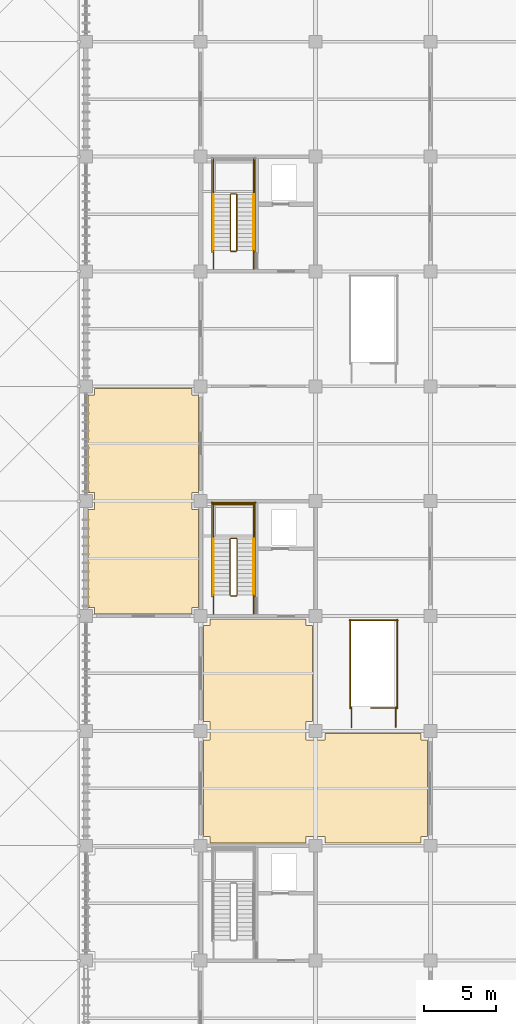
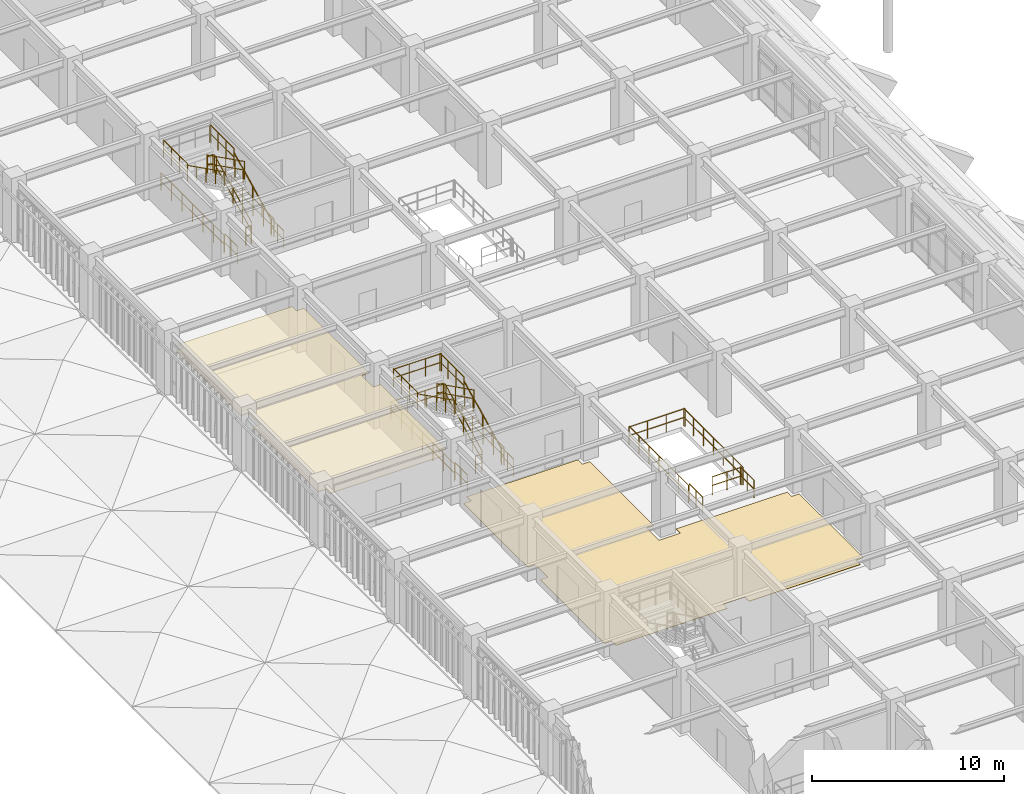
# One storey, part 109 of 118: 32 railings, 2 coverings.
"""IFC4 building model written with IfcOpenShell, lengths in metres."""

from ifc_helpers import new_model, si_unit, direction, frame, origin, origin_2d, place, context, subcontext, project, spatial, polyline, circle, outline, extrude, material, layer, layer_set, type_object, element, save


model = new_model("IFC4")

# Units and contexts
model_context = context("Model", 3, precision=1e-05, world=origin(), true_north=direction((0.0, 1.0)))
body_context = subcontext(model_context, "Body", "Model", "MODEL_VIEW")
ifc_project = project(units=[si_unit("LENGTHUNIT", "METRE"), si_unit("AREAUNIT", "SQUARE_METRE"), si_unit("VOLUMEUNIT", "CUBIC_METRE"), si_unit("PLANEANGLEUNIT", "RADIAN"), si_unit("MASSUNIT", "GRAM", prefix="KILO")], contexts=[model_context])

# Site, building, storey
site_placement = place(None, origin())
site = spatial("IfcSite", under=ifc_project, at=site_placement, CompositionType="ELEMENT")
building_placement = place(site_placement, origin())
building = spatial("IfcBuilding", under=site, at=building_placement, Name="Haebicheon Civic Stadium", CompositionType="ELEMENT")
storey_placement = place(building_placement, frame((0.0, 0.0, 14.39990234375)))
storey = spatial("IfcBuildingStorey", under=building, at=storey_placement, Name="L04", CompositionType="ELEMENT", Elevation=14.39990234375)

# Coverings
ifc_material_1 = material(Name="Perforated mineral-fibre acoustic board", Category="gypsum")
ifc_layer_1 = layer(ifc_material_1, 0.0400390625, Name="Perforated mineral-fibre acoustic board")
ifc_layer_set_1 = layer_set([ifc_layer_1], Name="Perforated mineral-fibre acoustic board")
covering_type_1 = type_object("IfcCoveringType", Name="COV-CLG-AC", PredefinedType="CEILING", material=ifc_layer_set_1)
covering_1_placement = place(storey_placement, frame((0.0, 0.0, 2.81005859375)))
element("IfcCovering", 1, at=covering_1_placement, inside=storey, type_object=covering_type_1, material=ifc_layer_set_1, Name="L04 Sommelier Pantry Kitchen acoustic ceiling", PredefinedType="CEILING", context=body_context, shape_type="SweptSolid", body=[
    extrude(outline(polyline([(24.594970703125, 80.14501953125), (24.594970703125, 80.594970703125), (24.14501953125, 80.594970703125), (24.14501953125, 87.405029296875), (24.594970703125, 87.405029296875), (24.594970703125, 88.594970703125), (24.14501953125, 88.594970703125), (24.14501953125, 95.405029296875), (24.594970703125, 95.405029296875), (24.594970703125, 95.85498046875), (31.405029296875, 95.85498046875), (31.405029296875, 95.405029296875), (31.85498046875, 95.405029296875), (31.85498046875, 88.594970703125), (31.405029296875, 88.594970703125), (31.405029296875, 87.405029296875), (31.85498046875, 87.405029296875), (31.85498046875, 80.594970703125), (31.405029296875, 80.594970703125), (31.405029296875, 80.14501953125), (24.594970703125, 80.14501953125)])), origin(), (0.0, 0.0, 1.0), 0.0400390625),
])
ifc_material_2 = material(Name="Quartz epoxy resin mortar", Category="concrete")
ifc_layer_2 = layer(ifc_material_2, 0.030029296875, Name="Quartz epoxy resin mortar")
ifc_layer_set_2 = layer_set([ifc_layer_2], Name="Quartz epoxy resin mortar")
covering_type_2 = type_object("IfcCoveringType", Name="COV-FLR-EPX", PredefinedType="FLOORING", material=ifc_layer_set_2)
covering_2_placement = place(storey_placement, origin())
element("IfcCovering", 2, at=covering_2_placement, inside=storey, type_object=covering_type_2, material=ifc_layer_set_2, Name="L04 VIP Banquet Dining Room non-slip floor finish", PredefinedType="FLOORING", context=body_context, shape_type="SweptSolid", body=[
    extrude(outline(polyline([(32.199951171875, 71.35009765625), (32.64990234375, 71.35009765625), (32.64990234375, 72.64990234375), (32.199951171875, 72.64990234375), (32.199951171875, 79.35009765625), (32.64990234375, 79.35009765625), (32.64990234375, 79.800048828125), (39.35009765625, 79.800048828125), (39.35009765625, 79.35009765625), (39.800048828125, 79.35009765625), (39.800048828125, 72.64990234375), (39.35009765625, 72.64990234375), (39.35009765625, 71.35009765625), (40.64990234375, 71.35009765625), (40.64990234375, 71.800048828125), (47.35009765625, 71.800048828125), (47.35009765625, 71.35009765625), (47.800048828125, 71.35009765625), (47.800048828125, 64.64990234375), (47.35009765625, 64.64990234375), (47.35009765625, 64.199951171875), (40.64990234375, 64.199951171875), (40.64990234375, 64.64990234375), (39.35009765625, 64.64990234375), (39.35009765625, 64.199951171875), (32.64990234375, 64.199951171875), (32.64990234375, 64.64990234375), (32.199951171875, 64.64990234375), (32.199951171875, 71.35009765625)])), origin(), (0.0, 0.0, 1.0), 0.030029296875),
])

# Railings
ifc_material_3 = material(Name="Galvanised painted steel SM355", Category="steel")
railing_type_1 = type_object("IfcRailingType", Name="RL-GRD-1150", PredefinedType="GUARDRAIL", material=ifc_material_3)
railing_1_placement = place(storey_placement, frame((34.530029296875, 81.449951171875, 0.150146484375)))
element("IfcRailing", 3, at=railing_1_placement, inside=storey, type_object=railing_type_1, material=ifc_material_3, Name="L04 ST-03 stair guard 1", PredefinedType="GUARDRAIL", context=body_context, shape_type="SweptSolid", body=[
    extrude(circle(Radius=0.02392578125, at=origin_2d()), frame((0.0, 0.0, 1.1259765625), z_axis=(0.0, 0.894438388696, 0.447191199406), x_axis=(-1.0, 0.0, 0.0)), (0.0, 0.0, 1.0), 4.3603515625),
    extrude(circle(Radius=0.02392578125, at=origin_2d()), frame((0.0, 0.0, 0.574951171875), z_axis=(0.0, 0.894438388696, 0.447191199406), x_axis=(-1.0, 0.0, 0.0)), (0.0, 0.0, 1.0), 4.3603515625),
    extrude(circle(Radius=0.02099609375, at=origin_2d()), origin(), (0.0, 0.0, 1.0), 1.101806640625),
    extrude(circle(Radius=0.02099609375, at=origin_2d()), frame((0.0, 0.97509765625, 0.487548828125)), (0.0, 0.0, 1.0), 1.101806640625),
    extrude(circle(Radius=0.02099609375, at=origin_2d()), frame((0.0, 1.9501953125, 0.97509765625)), (0.0, 0.0, 1.0), 1.101806640625),
    extrude(circle(Radius=0.02099609375, at=origin_2d()), frame((0.0, 2.925048828125, 1.46240234375)), (0.0, 0.0, 1.0), 1.101806640625),
    extrude(circle(Radius=0.02099609375, at=origin_2d()), frame((0.0, 3.900146484375, 1.949951171875)), (0.0, 0.0, 1.0), 1.101806640625),
])
railing_2_placement = place(storey_placement, frame((34.47998046875, 85.39990234375, 2.10009765625)))
element("IfcRailing", 4, at=railing_2_placement, inside=storey, type_object=railing_type_1, material=ifc_material_3, Name="L04 ST-03 stair guard 2", PredefinedType="GUARDRAIL", context=body_context, shape_type="SweptSolid", body=[
    extrude(circle(Radius=0.02392578125, at=origin_2d()), frame((0.0, 0.0, 1.1259765625), z_axis=(-1.0, 0.0, 0.0), x_axis=(0.0, -1.0, 0.0)), (0.0, 0.0, 1.0), 0.3798828125),
    extrude(circle(Radius=0.02392578125, at=origin_2d()), frame((0.0, 0.0, 0.574951171875), z_axis=(-1.0, 0.0, 0.0), x_axis=(0.0, -1.0, 0.0)), (0.0, 0.0, 1.0), 0.3798828125),
    extrude(circle(Radius=0.02099609375, at=origin_2d()), origin(), (0.0, 0.0, 1.0), 1.101806640625),
    extrude(circle(Radius=0.02099609375, at=origin_2d()), frame((-0.3798828125, 0.0, 0.0)), (0.0, 0.0, 1.0), 1.101806640625),
])
for number, where, name in (
    (5, (35.68994140625, 85.35009765625, 2.10009765625), "L04 ST-03 stair guard 3"),
    (6, (32.889892578125, 85.35009765625, 2.10009765625), "L04 ST-03 stair guard 4"),
):
    element("IfcRailing", number, at=place(storey_placement, frame(where)), inside=storey, type_object=railing_type_1, material=ifc_material_3, Name=name, PredefinedType="GUARDRAIL", context=body_context, shape_type="SweptSolid", body=[
        extrude(circle(Radius=0.02392578125, at=origin_2d()), frame((0.0, 0.0, 1.1259765625), z_axis=(0.0, 1.0, 0.0), x_axis=(-1.0, 0.0, 0.0)), (0.0, 0.0, 1.0), 2.489990234375),
        extrude(circle(Radius=0.02392578125, at=origin_2d()), frame((0.0, 0.0, 0.574951171875), z_axis=(0.0, 1.0, 0.0), x_axis=(-1.0, 0.0, 0.0)), (0.0, 0.0, 1.0), 2.489990234375),
        extrude(circle(Radius=0.02099609375, at=origin_2d()), origin(), (0.0, 0.0, 1.0), 1.101806640625),
        extrude(circle(Radius=0.02099609375, at=origin_2d()), frame((0.0, 0.830078125, 0.0)), (0.0, 0.0, 1.0), 1.101806640625),
        extrude(circle(Radius=0.02099609375, at=origin_2d()), frame((0.0, 1.659912109375, 0.0)), (0.0, 0.0, 1.0), 1.101806640625),
        extrude(circle(Radius=0.02099609375, at=origin_2d()), frame((0.0, 2.489990234375, 0.0)), (0.0, 0.0, 1.0), 1.101806640625),
    ])
railing_3_placement = place(storey_placement, frame((35.739990234375, 87.7900390625, 2.10009765625)))
element("IfcRailing", 7, at=railing_3_placement, inside=storey, type_object=railing_type_1, material=ifc_material_3, Name="L04 ST-03 stair guard 5", PredefinedType="GUARDRAIL", context=body_context, shape_type="SweptSolid", body=[
    extrude(circle(Radius=0.02392578125, at=origin_2d()), frame((0.0, 0.0, 1.1259765625), z_axis=(-1.0, 0.0, 0.0), x_axis=(0.0, -1.0, 0.0)), (0.0, 0.0, 1.0), 2.89990234375),
    extrude(circle(Radius=0.02392578125, at=origin_2d()), frame((0.0, 0.0, 0.574951171875), z_axis=(-1.0, 0.0, 0.0), x_axis=(0.0, -1.0, 0.0)), (0.0, 0.0, 1.0), 2.89990234375),
    extrude(circle(Radius=0.02099609375, at=origin_2d()), origin(), (0.0, 0.0, 1.0), 1.101806640625),
    extrude(circle(Radius=0.02099609375, at=origin_2d()), frame((-0.966552734375, 0.0, 0.0)), (0.0, 0.0, 1.0), 1.101806640625),
    extrude(circle(Radius=0.02099609375, at=origin_2d()), frame((-1.933349609375, 0.0, 0.0)), (0.0, 0.0, 1.0), 1.101806640625),
    extrude(circle(Radius=0.02099609375, at=origin_2d()), frame((-2.89990234375, 0.0, 0.0)), (0.0, 0.0, 1.0), 1.101806640625),
])
railing_4_placement = place(storey_placement, frame((34.050048828125, 85.35009765625, 2.25)))
element("IfcRailing", 8, at=railing_4_placement, inside=storey, type_object=railing_type_1, material=ifc_material_3, Name="L04 ST-03 stair guard 6", PredefinedType="GUARDRAIL", context=body_context, shape_type="SweptSolid", body=[
    extrude(circle(Radius=0.02392578125, at=origin_2d()), frame((0.0, 0.0, 1.1259765625), z_axis=(0.0, -0.894415993023, 0.447235990752), x_axis=(1.0, 0.0, 0.0)), (0.0, 0.0, 1.0), 4.360595703125),
    extrude(circle(Radius=0.02392578125, at=origin_2d()), frame((0.0, 0.0, 0.574951171875), z_axis=(0.0, -0.894415993023, 0.447235990752), x_axis=(1.0, 0.0, 0.0)), (0.0, 0.0, 1.0), 4.360595703125),
    extrude(circle(Radius=0.02099609375, at=origin_2d()), origin(), (0.0, 0.0, 1.0), 1.101806640625),
    extrude(circle(Radius=0.02099609375, at=origin_2d()), frame((0.0, -0.97509765625, 0.487548828125)), (0.0, 0.0, 1.0), 1.101806640625),
    extrude(circle(Radius=0.02099609375, at=origin_2d()), frame((0.0, -1.9501953125, 0.97509765625)), (0.0, 0.0, 1.0), 1.101806640625),
    extrude(circle(Radius=0.02099609375, at=origin_2d()), frame((0.0, -2.925048828125, 1.462646484375)), (0.0, 0.0, 1.0), 1.101806640625),
    extrude(circle(Radius=0.02099609375, at=origin_2d()), frame((0.0, -3.900146484375, 1.9501953125)), (0.0, 0.0, 1.0), 1.101806640625),
])
railing_5_placement = place(storey_placement, frame((34.47998046875, 81.39990234375, 0.0)))
element("IfcRailing", 9, at=railing_5_placement, inside=storey, type_object=railing_type_1, material=ifc_material_3, Name="L04 ST-03 stair guard 7", PredefinedType="GUARDRAIL", context=body_context, shape_type="SweptSolid", body=[
    extrude(circle(Radius=0.02392578125, at=origin_2d()), frame((0.0, 0.0, 1.1259765625), z_axis=(-1.0, 0.0, 0.0), x_axis=(0.0, -1.0, 0.0)), (0.0, 0.0, 1.0), 0.3798828125),
    extrude(circle(Radius=0.02392578125, at=origin_2d()), frame((0.0, 0.0, 0.574951171875), z_axis=(-1.0, 0.0, 0.0), x_axis=(0.0, -1.0, 0.0)), (0.0, 0.0, 1.0), 0.3798828125),
    extrude(circle(Radius=0.02099609375, at=origin_2d()), origin(), (0.0, 0.0, 1.0), 1.101806640625),
    extrude(circle(Radius=0.02099609375, at=origin_2d()), frame((-0.3798828125, 0.0, 0.0)), (0.0, 0.0, 1.0), 1.101806640625),
])
for number, where, name in (
    (10, (35.68994140625, 80.159912109375, 0.0), "L04 ST-03 stair guard 8"),
    (11, (32.889892578125, 80.159912109375, 0.0), "L04 ST-03 stair guard 9"),
):
    element("IfcRailing", number, at=place(storey_placement, frame(where)), inside=storey, type_object=railing_type_1, material=ifc_material_3, Name=name, PredefinedType="GUARDRAIL", context=body_context, shape_type="SweptSolid", body=[
        extrude(circle(Radius=0.02392578125, at=origin_2d()), frame((0.0, 0.0, 1.1259765625), z_axis=(0.0, 1.0, 0.0), x_axis=(-1.0, 0.0, 0.0)), (0.0, 0.0, 1.0), 1.2900390625),
        extrude(circle(Radius=0.02392578125, at=origin_2d()), frame((0.0, 0.0, 0.574951171875), z_axis=(0.0, 1.0, 0.0), x_axis=(-1.0, 0.0, 0.0)), (0.0, 0.0, 1.0), 1.2900390625),
        extrude(circle(Radius=0.02099609375, at=origin_2d()), origin(), (0.0, 0.0, 1.0), 1.101806640625),
        extrude(circle(Radius=0.02099609375, at=origin_2d()), frame((0.0, 0.64501953125, 0.0)), (0.0, 0.0, 1.0), 1.101806640625),
        extrude(circle(Radius=0.02099609375, at=origin_2d()), frame((0.0, 1.2900390625, 0.0)), (0.0, 0.0, 1.0), 1.101806640625),
    ])
for number, where, name in (
    (12, (35.7900390625, 81.35009765625, 0.0), "L04 ST-03 stair guard 10"),
    (13, (32.7900390625, 81.35009765625, 0.0), "L04 ST-03 stair guard 11"),
):
    element("IfcRailing", number, at=place(storey_placement, frame(where)), inside=storey, type_object=railing_type_1, material=ifc_material_3, Name=name, PredefinedType="GUARDRAIL", context=body_context, shape_type="SweptSolid", body=[
        extrude(circle(Radius=0.02392578125, at=origin_2d()), frame((0.0, 0.0, 1.1259765625), z_axis=(0.0, 1.0, 0.0), x_axis=(-1.0, 0.0, 0.0)), (0.0, 0.0, 1.0), 6.58984375),
        extrude(circle(Radius=0.02392578125, at=origin_2d()), frame((0.0, 0.0, 0.574951171875), z_axis=(0.0, 1.0, 0.0), x_axis=(-1.0, 0.0, 0.0)), (0.0, 0.0, 1.0), 6.58984375),
        extrude(circle(Radius=0.02099609375, at=origin_2d()), origin(), (0.0, 0.0, 1.0), 1.101806640625),
        extrude(circle(Radius=0.02099609375, at=origin_2d()), frame((0.0, 1.098388671875, 0.0)), (0.0, 0.0, 1.0), 1.101806640625),
        extrude(circle(Radius=0.02099609375, at=origin_2d()), frame((0.0, 2.196533203125, 0.0)), (0.0, 0.0, 1.0), 1.101806640625),
        extrude(circle(Radius=0.02099609375, at=origin_2d()), frame((0.0, 3.294921875, 0.0)), (0.0, 0.0, 1.0), 1.101806640625),
        extrude(circle(Radius=0.02099609375, at=origin_2d()), frame((0.0, 4.393310546875, 0.0)), (0.0, 0.0, 1.0), 1.101806640625),
        extrude(circle(Radius=0.02099609375, at=origin_2d()), frame((0.0, 5.491455078125, 0.0)), (0.0, 0.0, 1.0), 1.101806640625),
        extrude(circle(Radius=0.02099609375, at=origin_2d()), frame((0.0, 6.58984375, 0.0)), (0.0, 0.0, 1.0), 1.101806640625),
    ])
railing_6_placement = place(storey_placement, frame((35.840087890625, 87.889892578125, 0.0)))
element("IfcRailing", 14, at=railing_6_placement, inside=storey, type_object=railing_type_1, material=ifc_material_3, Name="L04 ST-03 stair guard 12", PredefinedType="GUARDRAIL", context=body_context, shape_type="SweptSolid", body=[
    extrude(circle(Radius=0.02392578125, at=origin_2d()), frame((0.0, 0.0, 1.1259765625), z_axis=(-1.0, 0.0, 0.0), x_axis=(0.0, -1.0, 0.0)), (0.0, 0.0, 1.0), 3.10009765625),
    extrude(circle(Radius=0.02392578125, at=origin_2d()), frame((0.0, 0.0, 0.574951171875), z_axis=(-1.0, 0.0, 0.0), x_axis=(0.0, -1.0, 0.0)), (0.0, 0.0, 1.0), 3.10009765625),
    extrude(circle(Radius=0.02099609375, at=origin_2d()), origin(), (0.0, 0.0, 1.0), 1.101806640625),
    extrude(circle(Radius=0.02099609375, at=origin_2d()), frame((-1.033447265625, 0.0, 0.0)), (0.0, 0.0, 1.0), 1.101806640625),
    extrude(circle(Radius=0.02099609375, at=origin_2d()), frame((-2.066650390625, 0.0, 0.0)), (0.0, 0.0, 1.0), 1.101806640625),
    extrude(circle(Radius=0.02099609375, at=origin_2d()), frame((-3.10009765625, 0.0, 0.0)), (0.0, 0.0, 1.0), 1.101806640625),
])
railing_7_placement = place(storey_placement, frame((34.510009765625, 105.449951171875, 0.150146484375)))
element("IfcRailing", 15, at=railing_7_placement, inside=storey, type_object=railing_type_1, material=ifc_material_3, Name="L04 ST-04 stair guard 1", PredefinedType="GUARDRAIL", context=body_context, shape_type="SweptSolid", body=[
    extrude(circle(Radius=0.02392578125, at=origin_2d()), frame((0.0, 0.0, 1.1259765625), z_axis=(0.0, 0.894438388696, 0.447191199406), x_axis=(-1.0, 0.0, 0.0)), (0.0, 0.0, 1.0), 4.3603515625),
    extrude(circle(Radius=0.02392578125, at=origin_2d()), frame((0.0, 0.0, 0.574951171875), z_axis=(0.0, 0.894438388696, 0.447191199406), x_axis=(-1.0, 0.0, 0.0)), (0.0, 0.0, 1.0), 4.3603515625),
    extrude(circle(Radius=0.02099609375, at=origin_2d()), origin(), (0.0, 0.0, 1.0), 1.101806640625),
    extrude(circle(Radius=0.02099609375, at=origin_2d()), frame((0.0, 0.97509765625, 0.487548828125)), (0.0, 0.0, 1.0), 1.101806640625),
    extrude(circle(Radius=0.02099609375, at=origin_2d()), frame((0.0, 1.9501953125, 0.97509765625)), (0.0, 0.0, 1.0), 1.101806640625),
    extrude(circle(Radius=0.02099609375, at=origin_2d()), frame((0.0, 2.925048828125, 1.46240234375)), (0.0, 0.0, 1.0), 1.101806640625),
    extrude(circle(Radius=0.02099609375, at=origin_2d()), frame((0.0, 3.900146484375, 1.949951171875)), (0.0, 0.0, 1.0), 1.101806640625),
])
railing_8_placement = place(storey_placement, frame((34.4599609375, 109.39990234375, 2.10009765625)))
element("IfcRailing", 16, at=railing_8_placement, inside=storey, type_object=railing_type_1, material=ifc_material_3, Name="L04 ST-04 stair guard 2", PredefinedType="GUARDRAIL", context=body_context, shape_type="SweptSolid", body=[
    extrude(circle(Radius=0.02392578125, at=origin_2d()), frame((0.0, 0.0, 1.1259765625), z_axis=(-1.0, 0.0, 0.0), x_axis=(0.0, -1.0, 0.0)), (0.0, 0.0, 1.0), 0.33984375),
    extrude(circle(Radius=0.02392578125, at=origin_2d()), frame((0.0, 0.0, 0.574951171875), z_axis=(-1.0, 0.0, 0.0), x_axis=(0.0, -1.0, 0.0)), (0.0, 0.0, 1.0), 0.33984375),
    extrude(circle(Radius=0.02099609375, at=origin_2d()), origin(), (0.0, 0.0, 1.0), 1.101806640625),
    extrude(circle(Radius=0.02099609375, at=origin_2d()), frame((-0.33984375, 0.0, 0.0)), (0.0, 0.0, 1.0), 1.101806640625),
])
for number, where, name in (
    (17, (35.68994140625, 109.35009765625, 2.10009765625), "L04 ST-04 stair guard 3"),
    (18, (32.889892578125, 109.35009765625, 2.10009765625), "L04 ST-04 stair guard 4"),
):
    element("IfcRailing", number, at=place(storey_placement, frame(where)), inside=storey, type_object=railing_type_1, material=ifc_material_3, Name=name, PredefinedType="GUARDRAIL", context=body_context, shape_type="SweptSolid", body=[
        extrude(circle(Radius=0.02392578125, at=origin_2d()), frame((0.0, 0.0, 1.1259765625), z_axis=(0.0, 1.0, 0.0), x_axis=(-1.0, 0.0, 0.0)), (0.0, 0.0, 1.0), 2.489990234375),
        extrude(circle(Radius=0.02392578125, at=origin_2d()), frame((0.0, 0.0, 0.574951171875), z_axis=(0.0, 1.0, 0.0), x_axis=(-1.0, 0.0, 0.0)), (0.0, 0.0, 1.0), 2.489990234375),
        extrude(circle(Radius=0.02099609375, at=origin_2d()), origin(), (0.0, 0.0, 1.0), 1.101806640625),
        extrude(circle(Radius=0.02099609375, at=origin_2d()), frame((0.0, 0.830078125, 0.0)), (0.0, 0.0, 1.0), 1.101806640625),
        extrude(circle(Radius=0.02099609375, at=origin_2d()), frame((0.0, 1.659912109375, 0.0)), (0.0, 0.0, 1.0), 1.101806640625),
        extrude(circle(Radius=0.02099609375, at=origin_2d()), frame((0.0, 2.489990234375, 0.0)), (0.0, 0.0, 1.0), 1.101806640625),
    ])
railing_9_placement = place(storey_placement, frame((34.070068359375, 109.35009765625, 2.25)))
element("IfcRailing", 19, at=railing_9_placement, inside=storey, type_object=railing_type_1, material=ifc_material_3, Name="L04 ST-04 stair guard 6", PredefinedType="GUARDRAIL", context=body_context, shape_type="SweptSolid", body=[
    extrude(circle(Radius=0.02392578125, at=origin_2d()), frame((0.0, 0.0, 1.1259765625), z_axis=(0.0, -0.894415993023, 0.447235990752), x_axis=(1.0, 0.0, 0.0)), (0.0, 0.0, 1.0), 4.360595703125),
    extrude(circle(Radius=0.02392578125, at=origin_2d()), frame((0.0, 0.0, 0.574951171875), z_axis=(0.0, -0.894415993023, 0.447235990752), x_axis=(1.0, 0.0, 0.0)), (0.0, 0.0, 1.0), 4.360595703125),
    extrude(circle(Radius=0.02099609375, at=origin_2d()), origin(), (0.0, 0.0, 1.0), 1.101806640625),
    extrude(circle(Radius=0.02099609375, at=origin_2d()), frame((0.0, -0.97509765625, 0.487548828125)), (0.0, 0.0, 1.0), 1.101806640625),
    extrude(circle(Radius=0.02099609375, at=origin_2d()), frame((0.0, -1.9501953125, 0.97509765625)), (0.0, 0.0, 1.0), 1.101806640625),
    extrude(circle(Radius=0.02099609375, at=origin_2d()), frame((0.0, -2.925048828125, 1.462646484375)), (0.0, 0.0, 1.0), 1.101806640625),
    extrude(circle(Radius=0.02099609375, at=origin_2d()), frame((0.0, -3.900146484375, 1.9501953125)), (0.0, 0.0, 1.0), 1.101806640625),
])
railing_10_placement = place(storey_placement, frame((34.4599609375, 105.39990234375, 0.0)))
element("IfcRailing", 20, at=railing_10_placement, inside=storey, type_object=railing_type_1, material=ifc_material_3, Name="L04 ST-04 stair guard 7", PredefinedType="GUARDRAIL", context=body_context, shape_type="SweptSolid", body=[
    extrude(circle(Radius=0.02392578125, at=origin_2d()), frame((0.0, 0.0, 1.1259765625), z_axis=(-1.0, 0.0, 0.0), x_axis=(0.0, -1.0, 0.0)), (0.0, 0.0, 1.0), 0.33984375),
    extrude(circle(Radius=0.02392578125, at=origin_2d()), frame((0.0, 0.0, 0.574951171875), z_axis=(-1.0, 0.0, 0.0), x_axis=(0.0, -1.0, 0.0)), (0.0, 0.0, 1.0), 0.33984375),
    extrude(circle(Radius=0.02099609375, at=origin_2d()), origin(), (0.0, 0.0, 1.0), 1.101806640625),
    extrude(circle(Radius=0.02099609375, at=origin_2d()), frame((-0.33984375, 0.0, 0.0)), (0.0, 0.0, 1.0), 1.101806640625),
])
for number, where, name in (
    (21, (35.68994140625, 104.159912109375, 0.0), "L04 ST-04 stair guard 8"),
    (22, (32.889892578125, 104.159912109375, 0.0), "L04 ST-04 stair guard 9"),
):
    element("IfcRailing", number, at=place(storey_placement, frame(where)), inside=storey, type_object=railing_type_1, material=ifc_material_3, Name=name, PredefinedType="GUARDRAIL", context=body_context, shape_type="SweptSolid", body=[
        extrude(circle(Radius=0.02392578125, at=origin_2d()), frame((0.0, 0.0, 1.1259765625), z_axis=(0.0, 1.0, 0.0), x_axis=(-1.0, 0.0, 0.0)), (0.0, 0.0, 1.0), 1.2900390625),
        extrude(circle(Radius=0.02392578125, at=origin_2d()), frame((0.0, 0.0, 0.574951171875), z_axis=(0.0, 1.0, 0.0), x_axis=(-1.0, 0.0, 0.0)), (0.0, 0.0, 1.0), 1.2900390625),
        extrude(circle(Radius=0.02099609375, at=origin_2d()), origin(), (0.0, 0.0, 1.0), 1.101806640625),
        extrude(circle(Radius=0.02099609375, at=origin_2d()), frame((0.0, 0.64501953125, 0.0)), (0.0, 0.0, 1.0), 1.101806640625),
        extrude(circle(Radius=0.02099609375, at=origin_2d()), frame((0.0, 1.2900390625, 0.0)), (0.0, 0.0, 1.0), 1.101806640625),
    ])
for number, where, name in (
    (23, (35.7900390625, 105.35009765625, 0.0), "L04 ST-04 stair guard 10"),
    (24, (32.7900390625, 105.35009765625, 0.0), "L04 ST-04 stair guard 11"),
):
    element("IfcRailing", number, at=place(storey_placement, frame(where)), inside=storey, type_object=railing_type_1, material=ifc_material_3, Name=name, PredefinedType="GUARDRAIL", context=body_context, shape_type="SweptSolid", body=[
        extrude(circle(Radius=0.02392578125, at=origin_2d()), frame((0.0, 0.0, 1.1259765625), z_axis=(0.0, 1.0, 0.0), x_axis=(-1.0, 0.0, 0.0)), (0.0, 0.0, 1.0), 6.58984375),
        extrude(circle(Radius=0.02392578125, at=origin_2d()), frame((0.0, 0.0, 0.574951171875), z_axis=(0.0, 1.0, 0.0), x_axis=(-1.0, 0.0, 0.0)), (0.0, 0.0, 1.0), 6.58984375),
        extrude(circle(Radius=0.02099609375, at=origin_2d()), origin(), (0.0, 0.0, 1.0), 1.101806640625),
        extrude(circle(Radius=0.02099609375, at=origin_2d()), frame((0.0, 1.098388671875, 0.0)), (0.0, 0.0, 1.0), 1.101806640625),
        extrude(circle(Radius=0.02099609375, at=origin_2d()), frame((0.0, 2.196533203125, 0.0)), (0.0, 0.0, 1.0), 1.101806640625),
        extrude(circle(Radius=0.02099609375, at=origin_2d()), frame((0.0, 3.294921875, 0.0)), (0.0, 0.0, 1.0), 1.101806640625),
        extrude(circle(Radius=0.02099609375, at=origin_2d()), frame((0.0, 4.393310546875, 0.0)), (0.0, 0.0, 1.0), 1.101806640625),
        extrude(circle(Radius=0.02099609375, at=origin_2d()), frame((0.0, 5.491455078125, 0.0)), (0.0, 0.0, 1.0), 1.101806640625),
        extrude(circle(Radius=0.02099609375, at=origin_2d()), frame((0.0, 6.58984375, 0.0)), (0.0, 0.0, 1.0), 1.101806640625),
    ])
railing_11_placement = place(storey_placement, frame((45.639892578125, 73.60009765625, 0.0)))
element("IfcRailing", 25, at=railing_11_placement, inside=storey, type_object=railing_type_1, material=ifc_material_3, Name="L04 VM-04 top well guard 1", PredefinedType="GUARDRAIL", context=body_context, shape_type="SweptSolid", body=[
    extrude(circle(Radius=0.02392578125, at=origin_2d()), frame((0.0, 0.0, 1.1259765625), z_axis=(-1.0, 0.0, 0.0), x_axis=(0.0, -1.0, 0.0)), (0.0, 0.0, 1.0), 1.77978515625),
    extrude(circle(Radius=0.02392578125, at=origin_2d()), frame((0.0, 0.0, 0.574951171875), z_axis=(-1.0, 0.0, 0.0), x_axis=(0.0, -1.0, 0.0)), (0.0, 0.0, 1.0), 1.77978515625),
    extrude(circle(Radius=0.02099609375, at=origin_2d()), origin(), (0.0, 0.0, 1.0), 1.101806640625),
    extrude(circle(Radius=0.02099609375, at=origin_2d()), frame((-0.889892578125, 0.0, 0.0)), (0.0, 0.0, 1.0), 1.101806640625),
    extrude(circle(Radius=0.02099609375, at=origin_2d()), frame((-1.77978515625, 0.0, 0.0)), (0.0, 0.0, 1.0), 1.101806640625),
])
for number, where, name in (
    (26, (45.68994140625, 73.550048828125, 0.0), "L04 VM-04 top well guard 2"),
    (27, (42.409912109375, 73.550048828125, 0.0), "L04 VM-04 top well guard 3"),
):
    element("IfcRailing", number, at=place(storey_placement, frame(where)), inside=storey, type_object=railing_type_1, material=ifc_material_3, Name=name, PredefinedType="GUARDRAIL", context=body_context, shape_type="SweptSolid", body=[
        extrude(circle(Radius=0.02392578125, at=origin_2d()), frame((0.0, 0.0, 1.1259765625), z_axis=(0.0, 1.0, 0.0), x_axis=(-1.0, 0.0, 0.0)), (0.0, 0.0, 1.0), 6.199951171875),
        extrude(circle(Radius=0.02392578125, at=origin_2d()), frame((0.0, 0.0, 0.574951171875), z_axis=(0.0, 1.0, 0.0), x_axis=(-1.0, 0.0, 0.0)), (0.0, 0.0, 1.0), 6.199951171875),
        extrude(circle(Radius=0.02099609375, at=origin_2d()), origin(), (0.0, 0.0, 1.0), 1.101806640625),
        extrude(circle(Radius=0.02099609375, at=origin_2d()), frame((0.0, 1.033203125, 0.0)), (0.0, 0.0, 1.0), 1.101806640625),
        extrude(circle(Radius=0.02099609375, at=origin_2d()), frame((0.0, 2.066650390625, 0.0)), (0.0, 0.0, 1.0), 1.101806640625),
        extrude(circle(Radius=0.02099609375, at=origin_2d()), frame((0.0, 3.10009765625, 0.0)), (0.0, 0.0, 1.0), 1.101806640625),
        extrude(circle(Radius=0.02099609375, at=origin_2d()), frame((0.0, 4.13330078125, 0.0)), (0.0, 0.0, 1.0), 1.101806640625),
        extrude(circle(Radius=0.02099609375, at=origin_2d()), frame((0.0, 5.16650390625, 0.0)), (0.0, 0.0, 1.0), 1.101806640625),
        extrude(circle(Radius=0.02099609375, at=origin_2d()), frame((0.0, 6.199951171875, 0.0)), (0.0, 0.0, 1.0), 1.101806640625),
    ])
railing_12_placement = place(storey_placement, frame((45.739990234375, 79.699951171875, 0.0)))
element("IfcRailing", 28, at=railing_12_placement, inside=storey, type_object=railing_type_1, material=ifc_material_3, Name="L04 VM-04 top well guard 4", PredefinedType="GUARDRAIL", context=body_context, shape_type="SweptSolid", body=[
    extrude(circle(Radius=0.02392578125, at=origin_2d()), frame((0.0, 0.0, 1.1259765625), z_axis=(-1.0, 0.0, 0.0), x_axis=(0.0, -1.0, 0.0)), (0.0, 0.0, 1.0), 3.3798828125),
    extrude(circle(Radius=0.02392578125, at=origin_2d()), frame((0.0, 0.0, 0.574951171875), z_axis=(-1.0, 0.0, 0.0), x_axis=(0.0, -1.0, 0.0)), (0.0, 0.0, 1.0), 3.3798828125),
    extrude(circle(Radius=0.02099609375, at=origin_2d()), origin(), (0.0, 0.0, 1.0), 1.101806640625),
    extrude(circle(Radius=0.02099609375, at=origin_2d()), frame((-1.126708984375, 0.0, 0.0)), (0.0, 0.0, 1.0), 1.101806640625),
    extrude(circle(Radius=0.02099609375, at=origin_2d()), frame((-2.253173828125, 0.0, 0.0)), (0.0, 0.0, 1.0), 1.101806640625),
    extrude(circle(Radius=0.02099609375, at=origin_2d()), frame((-3.3798828125, 0.0, 0.0)), (0.0, 0.0, 1.0), 1.101806640625),
])
for number, where, name in (
    (29, (45.590087890625, 72.25, 0.0), "L04 VM-04 top well guard 5"),
    (30, (42.510009765625, 72.25, 0.0), "L04 VM-04 top well guard 6"),
):
    element("IfcRailing", number, at=place(storey_placement, frame(where)), inside=storey, type_object=railing_type_1, material=ifc_material_3, Name=name, PredefinedType="GUARDRAIL", context=body_context, shape_type="SweptSolid", body=[
        extrude(circle(Radius=0.02392578125, at=origin_2d()), frame((0.0, 0.0, 1.1259765625), z_axis=(0.0, 1.0, 0.0), x_axis=(-1.0, 0.0, 0.0)), (0.0, 0.0, 1.0), 1.39990234375),
        extrude(circle(Radius=0.02392578125, at=origin_2d()), frame((0.0, 0.0, 0.574951171875), z_axis=(0.0, 1.0, 0.0), x_axis=(-1.0, 0.0, 0.0)), (0.0, 0.0, 1.0), 1.39990234375),
        extrude(circle(Radius=0.02099609375, at=origin_2d()), origin(), (0.0, 0.0, 1.0), 1.101806640625),
        extrude(circle(Radius=0.02099609375, at=origin_2d()), frame((0.0, 0.699951171875, 0.0)), (0.0, 0.0, 1.0), 1.101806640625),
        extrude(circle(Radius=0.02099609375, at=origin_2d()), frame((0.0, 1.39990234375, 0.0)), (0.0, 0.0, 1.0), 1.101806640625),
    ])
ifc_material_4 = material(Name="Stainless steel 316", Category="steel")
railing_type_2 = type_object("IfcRailingType", Name="RL-HND-900", PredefinedType="HANDRAIL", material=ifc_material_4)
railing_13_placement = place(storey_placement, frame((35.68994140625, 81.449951171875, 0.150146484375)))
element("IfcRailing", 31, at=railing_13_placement, inside=storey, type_object=railing_type_2, material=ifc_material_4, Name="L04 ST-03 stair handrail 1", PredefinedType="HANDRAIL", context=body_context, shape_type="SweptSolid", body=[
    extrude(circle(Radius=0.02392578125, at=origin_2d()), frame((0.0, 0.0, 0.8759765625), z_axis=(0.0, 0.894438388696, 0.447191199406), x_axis=(-1.0, 0.0, 0.0)), (0.0, 0.0, 1.0), 4.3603515625),
    extrude(circle(Radius=0.02099609375, at=origin_2d()), origin(), (0.0, 0.0, 1.0), 0.851806640625),
    extrude(circle(Radius=0.02099609375, at=origin_2d()), frame((0.0, 0.97509765625, 0.487548828125)), (0.0, 0.0, 1.0), 0.851806640625),
    extrude(circle(Radius=0.02099609375, at=origin_2d()), frame((0.0, 1.9501953125, 0.97509765625)), (0.0, 0.0, 1.0), 0.851806640625),
    extrude(circle(Radius=0.02099609375, at=origin_2d()), frame((0.0, 2.925048828125, 1.46240234375)), (0.0, 0.0, 1.0), 0.851806640625),
    extrude(circle(Radius=0.02099609375, at=origin_2d()), frame((0.0, 3.900146484375, 1.949951171875)), (0.0, 0.0, 1.0), 0.851806640625),
])
railing_14_placement = place(storey_placement, frame((32.889892578125, 85.35009765625, 2.25)))
element("IfcRailing", 32, at=railing_14_placement, inside=storey, type_object=railing_type_2, material=ifc_material_4, Name="L04 ST-03 stair handrail 2", PredefinedType="HANDRAIL", context=body_context, shape_type="SweptSolid", body=[
    extrude(circle(Radius=0.02392578125, at=origin_2d()), frame((0.0, 0.0, 0.8759765625), z_axis=(0.0, -0.894415993023, 0.447235990752), x_axis=(1.0, 0.0, 0.0)), (0.0, 0.0, 1.0), 4.360595703125),
    extrude(circle(Radius=0.02099609375, at=origin_2d()), origin(), (0.0, 0.0, 1.0), 0.851806640625),
    extrude(circle(Radius=0.02099609375, at=origin_2d()), frame((0.0, -0.97509765625, 0.487548828125)), (0.0, 0.0, 1.0), 0.851806640625),
    extrude(circle(Radius=0.02099609375, at=origin_2d()), frame((0.0, -1.9501953125, 0.97509765625)), (0.0, 0.0, 1.0), 0.851806640625),
    extrude(circle(Radius=0.02099609375, at=origin_2d()), frame((0.0, -2.925048828125, 1.462646484375)), (0.0, 0.0, 1.0), 0.851806640625),
    extrude(circle(Radius=0.02099609375, at=origin_2d()), frame((0.0, -3.900146484375, 1.9501953125)), (0.0, 0.0, 1.0), 0.851806640625),
])
railing_15_placement = place(storey_placement, frame((35.68994140625, 105.449951171875, 0.150146484375)))
element("IfcRailing", 33, at=railing_15_placement, inside=storey, type_object=railing_type_2, material=ifc_material_4, Name="L04 ST-04 stair handrail 1", PredefinedType="HANDRAIL", context=body_context, shape_type="SweptSolid", body=[
    extrude(circle(Radius=0.02392578125, at=origin_2d()), frame((0.0, 0.0, 0.8759765625), z_axis=(0.0, 0.894438388696, 0.447191199406), x_axis=(-1.0, 0.0, 0.0)), (0.0, 0.0, 1.0), 4.3603515625),
    extrude(circle(Radius=0.02099609375, at=origin_2d()), origin(), (0.0, 0.0, 1.0), 0.851806640625),
    extrude(circle(Radius=0.02099609375, at=origin_2d()), frame((0.0, 0.97509765625, 0.487548828125)), (0.0, 0.0, 1.0), 0.851806640625),
    extrude(circle(Radius=0.02099609375, at=origin_2d()), frame((0.0, 1.9501953125, 0.97509765625)), (0.0, 0.0, 1.0), 0.851806640625),
    extrude(circle(Radius=0.02099609375, at=origin_2d()), frame((0.0, 2.925048828125, 1.46240234375)), (0.0, 0.0, 1.0), 0.851806640625),
    extrude(circle(Radius=0.02099609375, at=origin_2d()), frame((0.0, 3.900146484375, 1.949951171875)), (0.0, 0.0, 1.0), 0.851806640625),
])
railing_16_placement = place(storey_placement, frame((32.889892578125, 109.35009765625, 2.25)))
element("IfcRailing", 34, at=railing_16_placement, inside=storey, type_object=railing_type_2, material=ifc_material_4, Name="L04 ST-04 stair handrail 2", PredefinedType="HANDRAIL", context=body_context, shape_type="SweptSolid", body=[
    extrude(circle(Radius=0.02392578125, at=origin_2d()), frame((0.0, 0.0, 0.8759765625), z_axis=(0.0, -0.894415993023, 0.447235990752), x_axis=(1.0, 0.0, 0.0)), (0.0, 0.0, 1.0), 4.360595703125),
    extrude(circle(Radius=0.02099609375, at=origin_2d()), origin(), (0.0, 0.0, 1.0), 0.851806640625),
    extrude(circle(Radius=0.02099609375, at=origin_2d()), frame((0.0, -0.97509765625, 0.487548828125)), (0.0, 0.0, 1.0), 0.851806640625),
    extrude(circle(Radius=0.02099609375, at=origin_2d()), frame((0.0, -1.9501953125, 0.97509765625)), (0.0, 0.0, 1.0), 0.851806640625),
    extrude(circle(Radius=0.02099609375, at=origin_2d()), frame((0.0, -2.925048828125, 1.462646484375)), (0.0, 0.0, 1.0), 0.851806640625),
    extrude(circle(Radius=0.02099609375, at=origin_2d()), frame((0.0, -3.900146484375, 1.9501953125)), (0.0, 0.0, 1.0), 0.851806640625),
])

save(model, "model.ifc")
